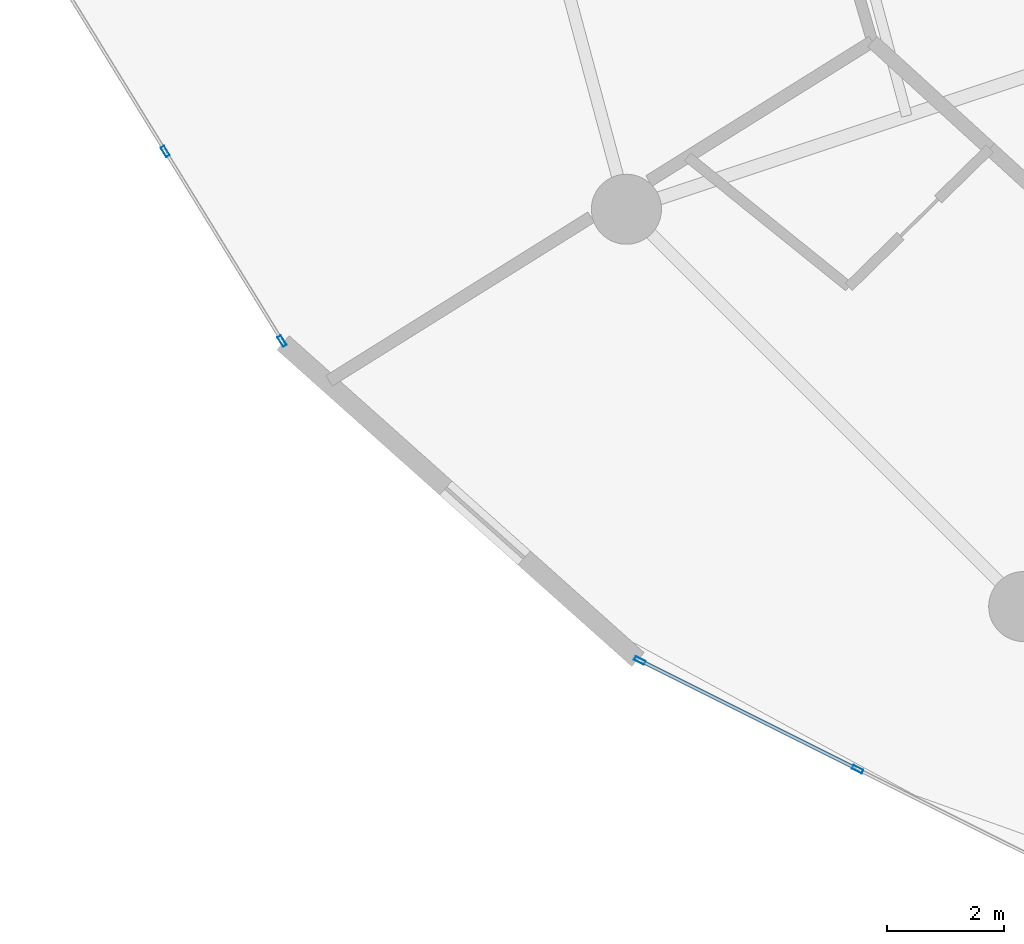
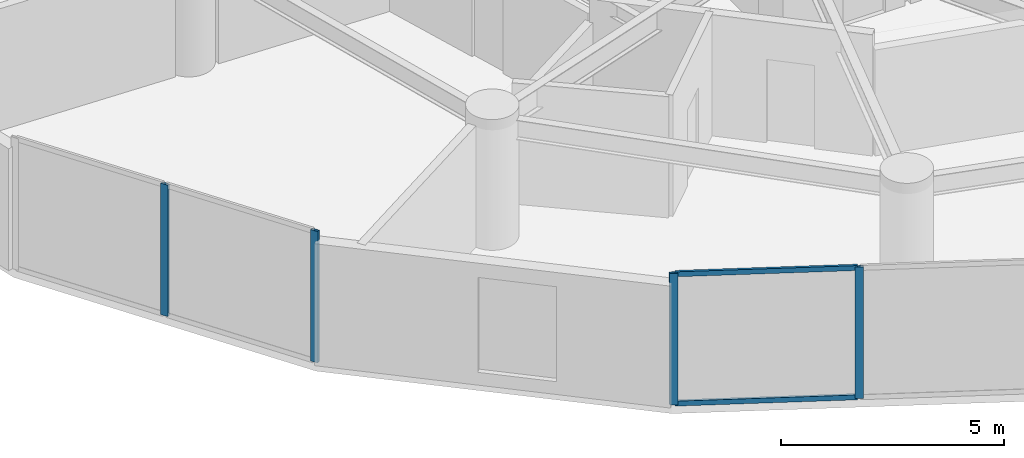
# One storey, part 2 of 26: 6 members, 2 elements without a shape of their own.
"""IFC4 building model written with IfcOpenShell, lengths in metres."""

from ifc_helpers import new_model, si_unit, direction, frame, origin, origin_2d, place, context, subcontext, project, spatial, hollow_rectangle, extrude, source, transform, mapped, material, layer, layer_set, material_profile, profile_set, type_object, element, aggregate, save


model = new_model("IFC4")

# Units and contexts
model_context = context("Model", 3, precision=1e-05, world=origin(), true_north=direction((0.0, 1.0)))
body_context = subcontext(model_context, "Body", "Model", "MODEL_VIEW")
ifc_project = project(units=[si_unit("LENGTHUNIT", "METRE"), si_unit("AREAUNIT", "SQUARE_METRE"), si_unit("VOLUMEUNIT", "CUBIC_METRE"), si_unit("PLANEANGLEUNIT", "RADIAN"), si_unit("MASSUNIT", "GRAM", prefix="KILO")], contexts=[model_context])

# Site, building, storey
site_placement = place(None, origin())
site = spatial("IfcSite", under=ifc_project, at=site_placement, CompositionType="ELEMENT")
building_placement = place(site_placement, origin())
building = spatial("IfcBuilding", under=site, at=building_placement, Name="Solvirekh Grand Hotel", CompositionType="ELEMENT")
storey_placement = place(building_placement, frame((0.0, 0.0, 71.60009765625)))
storey = spatial("IfcBuildingStorey", under=building, at=storey_placement, Name="L17", CompositionType="ELEMENT", Elevation=71.60009765625)

# Curtain wall, members
ifc_material = material(Name="Anodized Bronze Aluminium 6063-T6", Category="aluminium")
ifc_layer = layer(ifc_material, 0.18994140625)
ifc_layer_set = layer_set([ifc_layer], Name="Anodized Bronze Aluminium 6063-T6")
curtain_wall_type = type_object("IfcCurtainWallType", Name="CW_Sys2_LowZoneFlushBronzeCW", PredefinedType="NOTDEFINED", material=ifc_layer_set)
curtain_wall_1_placement = place(storey_placement, origin())
curtain_wall_1 = element("IfcCurtainWall", 1, at=curtain_wall_1_placement, inside=storey, type_object=curtain_wall_type, Name="L17 unitised bronze-glass curtain wall CW-L17-C13", PredefinedType="NOTDEFINED")
ifc_material_profile_1 = material_profile(ifc_material, hollow_rectangle(XDim=0.070068359375, YDim=0.18994140625, WallThickness=0.0048828125, at=origin_2d()), Name="ALU RHS 190X70X5")
ifc_profile_set_1 = profile_set([ifc_material_profile_1], Name="Anodized Bronze Aluminium 6063-T6")
member_type_1 = type_object("IfcMemberType", Name="CWMullion_Sys2", PredefinedType="MULLION", material=ifc_profile_set_1)
shared_shape_1 = source(origin(), body_context, "Body", "SweptSolid", [
    extrude(hollow_rectangle(XDim=0.070068359375, YDim=0.18994140625, WallThickness=0.0048828125, at=origin_2d()), origin(), (0.0, 0.0, 1.0), 3.599853515625),
])
member_1_placement = place(storey_placement, frame((-24.010986328125, -8.30859375, 0.0), z_axis=(0.0, 0.0, 1.0), x_axis=(0.851515689405, 0.524329124403, 0.0)))
member_1 = element("IfcMember", 2, at=member_1_placement, type_object=member_type_1, Name="U02 mullion 2", PredefinedType="MULLION", context=body_context, shape_type="MappedRepresentation", body=[
    mapped(shared_shape_1, transform((0.0, 0.0, 0.0), x_axis=(1.0, 0.0, 0.0), y_axis=(0.0, 1.0, 0.0), z_axis=(0.0, 0.0, 1.0), scale=1.0)),
])
member_2_placement = place(storey_placement, frame((-22.00927734375, -11.55908203125, 0.0), z_axis=(0.0, 0.0, 1.0), x_axis=(0.851515689405, 0.524329124403, 0.0)))
member_2 = element("IfcMember", 3, at=member_2_placement, type_object=member_type_1, Name="U02 mullion 3", PredefinedType="MULLION", context=body_context, shape_type="MappedRepresentation", body=[
    mapped(shared_shape_1, transform((0.0, 0.0, 0.0), x_axis=(1.0, 0.0, 0.0), y_axis=(0.0, 1.0, 0.0), z_axis=(0.0, 0.0, 1.0), scale=1.0)),
])
aggregate(curtain_wall_1, [member_1, member_2])

curtain_wall_2_placement = place(storey_placement, origin())
curtain_wall_2 = element("IfcCurtainWall", 4, at=curtain_wall_2_placement, inside=storey, type_object=curtain_wall_type, Name="L17 unitised bronze-glass curtain wall CW-L17-C15", PredefinedType="NOTDEFINED")
member_3_placement = place(storey_placement, frame((-15.878662109375, -17.03173828125, 0.0), z_axis=(0.0, 0.0, 1.0), x_axis=(0.446975826596, 0.894546035953, 0.0)))
member_3 = element("IfcMember", 5, at=member_3_placement, type_object=member_type_1, Name="U02 mullion 1", PredefinedType="MULLION", context=body_context, shape_type="MappedRepresentation", body=[
    mapped(shared_shape_1, transform((0.0, 0.0, 0.0), x_axis=(1.0, 0.0, 0.0), y_axis=(0.0, 1.0, 0.0), z_axis=(0.0, 0.0, 1.0), scale=1.0)),
])
member_4_placement = place(storey_placement, frame((-12.1474609375, -18.89599609375, 0.0), z_axis=(0.0, 0.0, 1.0), x_axis=(0.446975826596, 0.894546035953, 0.0)))
member_4 = element("IfcMember", 6, at=member_4_placement, type_object=member_type_1, Name="U02 mullion 2", PredefinedType="MULLION", context=body_context, shape_type="MappedRepresentation", body=[
    mapped(shared_shape_1, transform((0.0, 0.0, 0.0), x_axis=(1.0, 0.0, 0.0), y_axis=(0.0, 1.0, 0.0), z_axis=(0.0, 0.0, 1.0), scale=1.0)),
])
ifc_material_profile_2 = material_profile(ifc_material, hollow_rectangle(XDim=0.06005859375, YDim=0.135009765625, WallThickness=0.00390625, at=origin_2d()), Name="ALU RHS 135X60X4")
ifc_profile_set_2 = profile_set([ifc_material_profile_2], Name="Anodized Bronze Aluminium 6063-T6")
member_type_2 = type_object("IfcMemberType", Name="CWTransom_Sys2", PredefinedType="USERDEFINED", material=ifc_profile_set_2)
shared_shape_2 = source(origin(), body_context, "Body", "SweptSolid", [
    extrude(hollow_rectangle(XDim=0.06005859375, YDim=0.135009765625, WallThickness=0.00390625, at=origin_2d()), origin(), (0.0, 0.0, 1.0), 4.10107421875),
])
member_5_placement = place(storey_placement, frame((-15.847412109375, -17.04736328125, 0.02978515625), z_axis=(0.894558118765, -0.446951644086, 0.0), x_axis=(0.446951644086, 0.894558118765, 0.0)))
member_5 = element("IfcMember", 7, at=member_5_placement, type_object=member_type_2, Name="U02 transom 1.1", ObjectType="TRANSOM", PredefinedType="USERDEFINED", context=body_context, shape_type="MappedRepresentation", body=[
    mapped(shared_shape_2, transform((0.0, 0.0, 0.0), x_axis=(1.0, 0.0, 0.0), y_axis=(0.0, 1.0, 0.0), z_axis=(0.0, 0.0, 1.0), scale=1.0)),
])
member_6_placement = place(storey_placement, frame((-15.847412109375, -17.04736328125, 3.56982421875), z_axis=(0.894558118765, -0.446951644086, 0.0), x_axis=(0.446951644086, 0.894558118765, 0.0)))
member_6 = element("IfcMember", 8, at=member_6_placement, type_object=member_type_2, Name="U02 transom 1.2", ObjectType="TRANSOM", PredefinedType="USERDEFINED", context=body_context, shape_type="MappedRepresentation", body=[
    mapped(shared_shape_2, transform((0.0, 0.0, 0.0), x_axis=(1.0, 0.0, 0.0), y_axis=(0.0, 1.0, 0.0), z_axis=(0.0, 0.0, 1.0), scale=1.0)),
])
aggregate(curtain_wall_2, [member_3, member_4, member_5, member_6])

save(model, "model.ifc")
